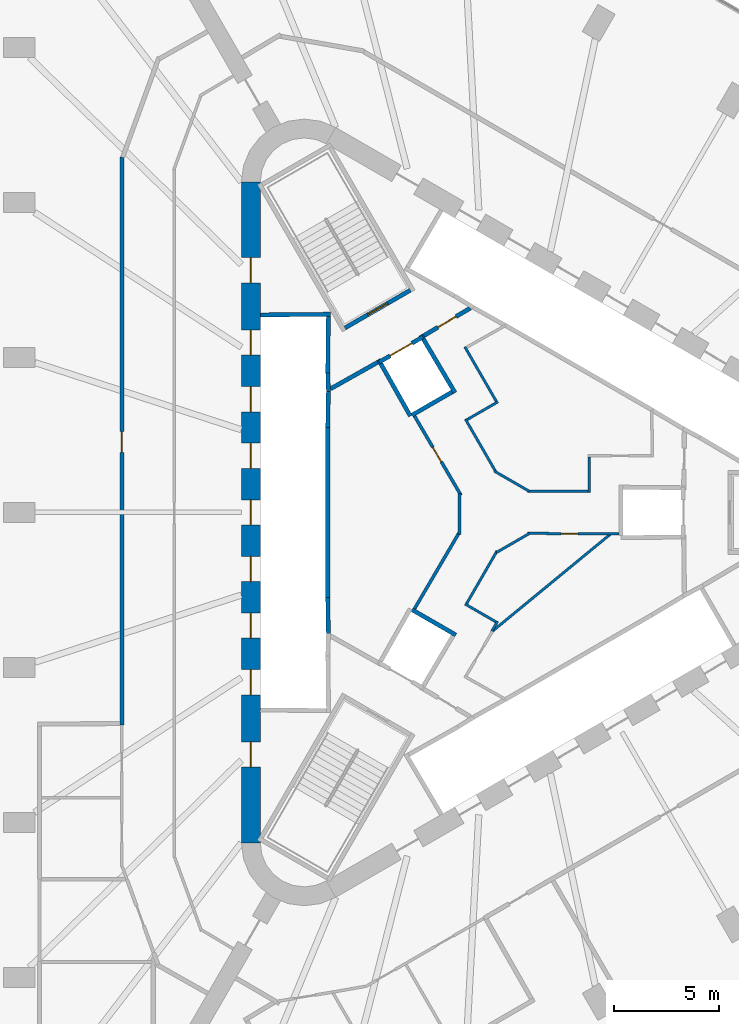
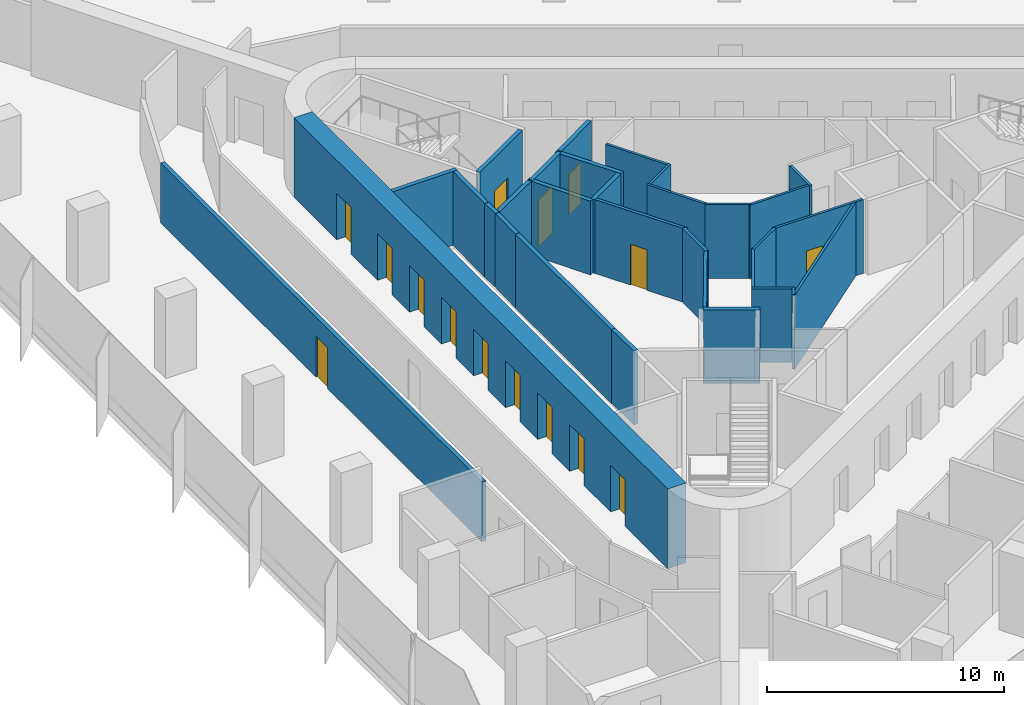
# One storey, part 11 of 15: 31 walls, 15 doors, 15 openings.
"""IFC4 building model written with IfcOpenShell, lengths in metres."""

import ifcopenshell
import ifcopenshell.guid

model = None  # the IFC model being written
_history = None  # IfcOwnerHistory: only IFC2X3 demands one
_inside = {}  # id of a spatial element -> (the spatial element, [elements in it])
_under = {}  # id of a project, library or spatial element -> (it, [spatial elements below it])
_declared = {}  # id of a project -> (the project, [libraries it declares])
_typed = {}  # id of a type object -> (the type object, [elements of that type])
_made_of = {}  # id of a material, layer set ... -> (it, [elements and type objects made of it])


def new_model(schema):
    """Start an empty IFC model of exactly this schema.

    Asked for "IFC4X3", IfcOpenShell would pick the latest addendum, in which some entities
    have other attributes; the version numbers below select the first issue.
    IFC2X3 requires an IfcOwnerHistory on every rooted entity: one is made here for all.
    """
    global model, _history
    if schema == "IFC4X3":
        model = ifcopenshell.file(schema_version=(4, 3, 0, 0))
    else:
        model = ifcopenshell.file(schema=schema)
    _inside.clear()
    _under.clear()
    _declared.clear()
    _typed.clear()
    _made_of.clear()
    _history = None
    if model.schema == "IFC2X3":
        org = make("IfcOrganization", Name="unknown")
        user = make(
            "IfcPersonAndOrganization",
            ThePerson=make("IfcPerson", FamilyName="unknown"),
            TheOrganization=org,
        )
        app = make(
            "IfcApplication",
            ApplicationDeveloper=org,
            Version="unknown",
            ApplicationFullName="unknown",
            ApplicationIdentifier="unknown",
        )
        _history = make(
            "IfcOwnerHistory",
            OwningUser=user,
            OwningApplication=app,
            ChangeAction="ADDED",
            CreationDate=0,
        )
    return model


def make(cls, **values):
    """One entity of the class cls with the attributes given. An attribute that is None is left unset."""
    return model.create_entity(
        cls, **{name: value for name, value in values.items() if value is not None}
    )


def rooted(cls, **values):
    """An entity with a GlobalId (a new one), such as an element, a storey or a relation."""
    return make(cls, GlobalId=ifcopenshell.guid.new(), OwnerHistory=_history, **values)


def si_unit(unit_type, name, prefix=None):
    """IfcSIUnit, for example si_unit("LENGTHUNIT", "METRE", prefix="MILLI")."""
    return make("IfcSIUnit", UnitType=unit_type, Prefix=prefix, Name=name)


def assignment(units):
    """IfcUnitAssignment: the units of a project."""
    return None if units is None else make("IfcUnitAssignment", Units=units)


def point(xyz):
    """IfcCartesianPoint."""
    return None if xyz is None else make("IfcCartesianPoint", Coordinates=xyz)


def direction(xyz):
    """IfcDirection."""
    return None if xyz is None else make("IfcDirection", DirectionRatios=xyz)


def frame(location, z_axis=None, x_axis=None):
    """IfcAxis2Placement3D, a coordinate frame: its origin and axes. An axis left out is left unset."""
    return make(
        "IfcAxis2Placement3D",
        Location=point(location),
        Axis=direction(z_axis),
        RefDirection=direction(x_axis),
    )


def frame_2d(location, x_axis=None):
    """IfcAxis2Placement2D, a coordinate frame in the plane: its origin and x axis."""
    return make(
        "IfcAxis2Placement2D", Location=point(location), RefDirection=direction(x_axis)
    )


def origin():
    """The frame at (0, 0, 0) with its axes left unset."""
    return frame((0.0, 0.0, 0.0))


def place(relative_to, where):
    """IfcLocalPlacement: puts the frame where relative to a parent placement (None: the world)."""
    return make(
        "IfcLocalPlacement", PlacementRelTo=relative_to, RelativePlacement=where
    )


def context(
    kind, dimensions, precision=None, world=None, true_north=None, identifier=None
):
    """IfcGeometricRepresentationContext, for example the 3D "Model" context."""
    return make(
        "IfcGeometricRepresentationContext",
        ContextIdentifier=identifier,
        ContextType=kind,
        CoordinateSpaceDimension=dimensions,
        Precision=precision,
        WorldCoordinateSystem=world,
        TrueNorth=true_north,
    )


def subcontext(parent, identifier, kind, view, scale=None):
    """IfcGeometricRepresentationSubContext, for example "Body" below "Model"."""
    return make(
        "IfcGeometricRepresentationSubContext",
        ContextIdentifier=identifier,
        ContextType=kind,
        ParentContext=parent,
        TargetScale=scale,
        TargetView=view,
    )


def project(units=None, contexts=None):
    """IfcProject with its units and contexts."""
    return rooted(
        "IfcProject",
        Name="project",
        RepresentationContexts=contexts,
        UnitsInContext=assignment(units),
    )


def spatial(cls, under=None, at=None, **own):
    """A site, building, storey or space (cls), placed at a placement, below another one or the project."""
    s = rooted(cls, ObjectPlacement=at, **own)
    if under is not None:
        _under.setdefault(under.id(), (under, []))[1].append(s)
    return s


def profile(cls, at=None, kind="AREA", **sizes):
    """A parametric profile (cls). Its sizes go by their IFC names, for example OverallWidth=200.0."""
    return make(cls, ProfileType=kind, Position=at, **sizes)


def rectangle(**sizes):
    """IfcRectangleProfileDef."""
    return profile("IfcRectangleProfileDef", **sizes)


def extrude(swept, where, along, depth):
    """IfcExtrudedAreaSolid: the profile swept, set in the frame where, extruded along a direction by depth."""
    return make(
        "IfcExtrudedAreaSolid",
        SweptArea=swept,
        Position=where,
        ExtrudedDirection=direction(along),
        Depth=depth,
    )


def shape(context_of_items, identifier, shape_type, items):
    """IfcShapeRepresentation: the items that make up one representation, for example the "Body"."""
    return make(
        "IfcShapeRepresentation",
        ContextOfItems=context_of_items,
        RepresentationIdentifier=identifier,
        RepresentationType=shape_type,
        Items=items,
    )


def material(Name=None, Category=None):
    """IfcMaterial."""
    return make("IfcMaterial", Name=Name, Category=Category)


def layer(
    of_material, thickness, ventilated=None, Name=None, Category=None, Priority=None
):
    """IfcMaterialLayer: one layer of a wall or slab, of a material (None: an air gap)."""
    return make(
        "IfcMaterialLayer",
        Material=of_material,
        LayerThickness=thickness,
        IsVentilated=ventilated,
        Name=Name,
        Category=Category,
        Priority=Priority,
    )


def layer_set(layers, Name=None):
    """IfcMaterialLayerSet."""
    return make("IfcMaterialLayerSet", MaterialLayers=layers, LayerSetName=Name)


def made_of(thing, what):
    """Note that an element or type object is made of a material, layer set ...; save() writes the relation."""
    if what is not None:
        _made_of.setdefault(what.id(), (what, []))[1].append(thing)
    return thing


def type_object(cls, material=None, **own):
    """A type object (cls), such as IfcWallType, which elements share."""
    return made_of(rooted(cls, **own), material)


def element(
    cls,
    number,
    at=None,
    inside=None,
    cuts=None,
    type_object=None,
    material=None,
    context=None,
    identifier="Body",
    shape_type=None,
    held_by="IfcProductDefinitionShape",
    body=None,
    shapes=None,
    **own,
):
    """One element of the class cls, such as IfcWall. Its Tag is "e" and its number.

    at: its placement. inside: the storey or other place that contains it. cuts: it is an
    opening in that element (IfcRelVoidsElement). A single representation is given by context,
    identifier, shape_type and body (its items); several are given by shapes. held_by: the class
    of the entity that holds the representations. save() writes the other relations.
    """
    e = rooted(cls, Tag="e%d" % number, ObjectPlacement=at, **own)
    if body is not None:
        shapes = [shape(context, identifier, shape_type, body)]
    if shapes is not None:
        e.Representation = make(held_by, Representations=shapes)
    if inside is not None:
        _inside.setdefault(inside.id(), (inside, []))[1].append(e)
    if cuts is not None:
        rooted(
            "IfcRelVoidsElement", RelatingBuildingElement=cuts, RelatedOpeningElement=e
        )
    if type_object is not None:
        _typed.setdefault(type_object.id(), (type_object, []))[1].append(e)
    return made_of(e, material)


def fill(opening, filler):
    """IfcRelFillsElement: the door or window that sits in an opening."""
    return rooted(
        "IfcRelFillsElement",
        RelatingOpeningElement=opening,
        RelatedBuildingElement=filler,
    )


def aggregate(whole, parts):
    """IfcRelAggregates: a whole, such as a stair, and the parts it consists of."""
    return rooted("IfcRelAggregates", RelatingObject=whole, RelatedObjects=parts)


def save(model, path):
    """Write the relations noted so far, then the file.

    IfcRelAggregates (storeys below a building ...), IfcRelContainedInSpatialStructure (elements
    in a storey), IfcRelDefinesByType, IfcRelAssociatesMaterial and IfcRelDeclares: one each for
    every whole, place, type object, material and project.
    """
    for whole, parts in _under.values():
        aggregate(whole, parts)
    for where, things in _inside.values():
        rooted(
            "IfcRelContainedInSpatialStructure",
            RelatedElements=things,
            RelatingStructure=where,
        )
    for kind, things in _typed.values():
        rooted("IfcRelDefinesByType", RelatedObjects=things, RelatingType=kind)
    for what, things in _made_of.values():
        rooted("IfcRelAssociatesMaterial", RelatedObjects=things, RelatingMaterial=what)
    for by, libraries in _declared.values():
        rooted("IfcRelDeclares", RelatingContext=by, RelatedDefinitions=libraries)
    model.write(path)


model = new_model("IFC4")

# Units and contexts
model_context = context("Model", 3, precision=1e-05, world=origin(), true_north=direction((0.0, 1.0)))
body_context = subcontext(model_context, "Body", "Model", "MODEL_VIEW")
ifc_project = project(units=[si_unit("LENGTHUNIT", "METRE"), si_unit("AREAUNIT", "SQUARE_METRE"), si_unit("VOLUMEUNIT", "CUBIC_METRE"), si_unit("PLANEANGLEUNIT", "RADIAN"), si_unit("MASSUNIT", "GRAM", prefix="KILO")], contexts=[model_context])

# Site, building, storey
site_placement = place(None, origin())
site = spatial("IfcSite", under=ifc_project, at=site_placement, CompositionType="ELEMENT")
building_placement = place(site_placement, origin())
building = spatial("IfcBuilding", under=site, at=building_placement, Name="Tanit Gate Tower", CompositionType="ELEMENT")
storey_placement = place(building_placement, frame((0.0, 0.0, 135.699951171875)))
storey = spatial("IfcBuildingStorey", under=building, at=storey_placement, Name="L29", CompositionType="ELEMENT", Elevation=135.699951171875)

# Wall, openings, doors
ifc_material_1 = material(Name="Concrete C60/75", Category="concrete")
ifc_layer_1 = layer(ifc_material_1, 0.89990234375)
ifc_layer_set_1 = layer_set([ifc_layer_1], Name="CORE WALL 900 C60/75")
wall_type_1 = type_object("IfcWallType", Name="CORE WALL 900 C60/75", PredefinedType="SHEAR", material=ifc_layer_set_1)
wall_1_placement = place(storey_placement, frame((-11.64990234375, 15.76171875, 0.0), z_axis=(0.0, 0.0, 1.0), x_axis=(0.0, -1.0, 0.0)))
wall_1 = element("IfcWall", 1, at=wall_1_placement, inside=storey, type_object=wall_type_1, Name="CORE WALL", PredefinedType="SHEAR", context=body_context, shape_type="SweptSolid", body=[
    extrude(rectangle(XDim=31.5234375, YDim=0.89990234375, at=frame_2d((15.76171875, 0.0))), origin(), (0.0, 0.0, 1.0), 4.10009765625),
])
opening_1_placement = place(wall_1_placement, frame((7.061767578125, 0.0, 0.0)))
opening_1 = element("IfcOpeningElement", 2, at=opening_1_placement, cuts=wall_1, Name="Opening LDLL1-S07", PredefinedType="OPENING", context=body_context, shape_type="SweptSolid", body=[
    extrude(rectangle(XDim=1.199951171875, YDim=2.39990234375, at=frame_2d((0.60009765625, 1.199951171875))), frame((0.0, 0.4599609375, 0.0), z_axis=(0.0, -1.0, 0.0), x_axis=(1.0, 0.0, 0.0)), (0.0, 0.0, 1.0), 0.919921875),
])
opening_2_placement = place(wall_1_placement, frame((9.76171875, 0.0, 0.0)))
opening_2 = element("IfcOpeningElement", 3, at=opening_2_placement, cuts=wall_1, Name="Opening LDLL2-S07", PredefinedType="OPENING", context=body_context, shape_type="SweptSolid", body=[
    extrude(rectangle(XDim=1.199951171875, YDim=2.39990234375, at=frame_2d((0.60009765625, 1.199951171875))), frame((0.0, 0.4599609375, 0.0), z_axis=(0.0, -1.0, 0.0), x_axis=(1.0, 0.0, 0.0)), (0.0, 0.0, 1.0), 0.919921875),
])
opening_3_placement = place(wall_1_placement, frame((12.461669921875, 0.0, 0.0)))
opening_3 = element("IfcOpeningElement", 4, at=opening_3_placement, cuts=wall_1, Name="Opening LDLL3-S07", PredefinedType="OPENING", context=body_context, shape_type="SweptSolid", body=[
    extrude(rectangle(XDim=1.199951171875, YDim=2.39990234375, at=frame_2d((0.60009765625, 1.199951171875))), frame((0.0, 0.4599609375, 0.0), z_axis=(0.0, -1.0, 0.0), x_axis=(1.0, 0.0, 0.0)), (0.0, 0.0, 1.0), 0.919921875),
])
opening_4_placement = place(wall_1_placement, frame((15.16162109375, 0.0, 0.0)))
opening_4 = element("IfcOpeningElement", 5, at=opening_4_placement, cuts=wall_1, Name="Opening LDLL4-S07", PredefinedType="OPENING", context=body_context, shape_type="SweptSolid", body=[
    extrude(rectangle(XDim=1.199951171875, YDim=2.39990234375, at=frame_2d((0.60009765625, 1.199951171875))), frame((0.0, 0.4599609375, 0.0), z_axis=(0.0, -1.0, 0.0), x_axis=(1.0, 0.0, 0.0)), (0.0, 0.0, 1.0), 0.919921875),
])
opening_5_placement = place(wall_1_placement, frame((17.86181640625, 0.0, 0.0)))
opening_5 = element("IfcOpeningElement", 6, at=opening_5_placement, cuts=wall_1, Name="Opening LDLL5-S07", PredefinedType="OPENING", context=body_context, shape_type="SweptSolid", body=[
    extrude(rectangle(XDim=1.199951171875, YDim=2.39990234375, at=frame_2d((0.60009765625, 1.199951171875))), frame((0.0, 0.4599609375, 0.0), z_axis=(0.0, -1.0, 0.0), x_axis=(1.0, 0.0, 0.0)), (0.0, 0.0, 1.0), 0.919921875),
])
opening_6_placement = place(wall_1_placement, frame((20.561767578125, 0.0, 0.0)))
opening_6 = element("IfcOpeningElement", 7, at=opening_6_placement, cuts=wall_1, Name="Opening LDLL6-S07", PredefinedType="OPENING", context=body_context, shape_type="SweptSolid", body=[
    extrude(rectangle(XDim=1.199951171875, YDim=2.39990234375, at=frame_2d((0.60009765625, 1.199951171875))), frame((0.0, 0.4599609375, 0.0), z_axis=(0.0, -1.0, 0.0), x_axis=(1.0, 0.0, 0.0)), (0.0, 0.0, 1.0), 0.919921875),
])
opening_7_placement = place(wall_1_placement, frame((23.26171875, 0.0, 0.0)))
opening_7 = element("IfcOpeningElement", 8, at=opening_7_placement, cuts=wall_1, Name="Opening LDLL7-S07", PredefinedType="OPENING", context=body_context, shape_type="SweptSolid", body=[
    extrude(rectangle(XDim=1.199951171875, YDim=2.39990234375, at=frame_2d((0.60009765625, 1.199951171875))), frame((0.0, 0.4599609375, 0.0), z_axis=(0.0, -1.0, 0.0), x_axis=(1.0, 0.0, 0.0)), (0.0, 0.0, 1.0), 0.919921875),
])
opening_8_placement = place(wall_1_placement, frame((3.61181640625, 0.0, 0.0)))
opening_8 = element("IfcOpeningElement", 9, at=opening_8_placement, cuts=wall_1, Name="Opening F12-S07-FL2", PredefinedType="OPENING", context=body_context, shape_type="SweptSolid", body=[
    extrude(rectangle(XDim=1.199951171875, YDim=2.39990234375, at=frame_2d((0.60009765625, 1.199951171875))), frame((0.0, 0.4599609375, 0.0), z_axis=(0.0, -1.0, 0.0), x_axis=(1.0, 0.0, 0.0)), (0.0, 0.0, 1.0), 0.919921875),
])
opening_9_placement = place(wall_1_placement, frame((26.711669921875, 0.0, 0.0)))
opening_9 = element("IfcOpeningElement", 10, at=opening_9_placement, cuts=wall_1, Name="Opening F12-S07-S3", PredefinedType="OPENING", context=body_context, shape_type="SweptSolid", body=[
    extrude(rectangle(XDim=1.199951171875, YDim=2.39990234375, at=frame_2d((0.60009765625, 1.199951171875))), frame((0.0, 0.4599609375, 0.0), z_axis=(0.0, -1.0, 0.0), x_axis=(1.0, 0.0, 0.0)), (0.0, 0.0, 1.0), 0.919921875),
])
ifc_material_2 = material(Name="Fire-rated steel door leaf", Category="steel")
door_type_1 = type_object("IfcDoorType", Name="INT-DOOR-FIRE-LOBBY-1200", OperationType="NOTDEFINED", PredefinedType="USERDEFINED", material=ifc_material_2)
door_1_placement = place(opening_8_placement, origin())
door_1 = element("IfcDoor", 11, at=door_1_placement, inside=storey, type_object=door_type_1, Name="Door F12-S07-FL2", ObjectType="FIRE DOOR", OperationType="SINGLE_SWING_RIGHT", OverallHeight=2.39990234375, OverallWidth=1.199951171875, PredefinedType="USERDEFINED", context=body_context, shape_type="SweptSolid", body=[
    extrude(rectangle(XDim=1.199951171875, YDim=2.39990234375, at=frame_2d((0.60009765625, 1.199951171875))), frame((0.0, 0.02490234375, 0.0), z_axis=(0.0, -1.0, 0.0), x_axis=(1.0, 0.0, 0.0)), (0.0, 0.0, 1.0), 0.050048828125),
])
fill(opening_8, door_1)
door_2_placement = place(opening_9_placement, origin())
door_2 = element("IfcDoor", 12, at=door_2_placement, inside=storey, type_object=door_type_1, Name="Door F12-S07-S3", ObjectType="FIRE DOOR", OperationType="SINGLE_SWING_LEFT", OverallHeight=2.39990234375, OverallWidth=1.199951171875, PredefinedType="USERDEFINED", context=body_context, shape_type="SweptSolid", body=[
    extrude(rectangle(XDim=1.199951171875, YDim=2.39990234375, at=frame_2d((0.60009765625, 1.199951171875))), frame((0.0, 0.02490234375, 0.0), z_axis=(0.0, -1.0, 0.0), x_axis=(1.0, 0.0, 0.0)), (0.0, 0.0, 1.0), 0.050048828125),
])
fill(opening_9, door_2)
ifc_material_3 = material(Name="Stainless steel sliding door leaf", Category="steel")
door_type_2 = type_object("IfcDoorType", Name="INT-DOOR-LANDING-1200", OperationType="NOTDEFINED", PredefinedType="USERDEFINED", material=ifc_material_3)
door_3_placement = place(opening_1_placement, origin())
door_3 = element("IfcDoor", 13, at=door_3_placement, inside=storey, type_object=door_type_2, Name="Door LDLL1-S07", ObjectType="LANDING DOOR", OperationType="SLIDING_TO_LEFT", OverallHeight=2.39990234375, OverallWidth=1.199951171875, PredefinedType="USERDEFINED", context=body_context, shape_type="SweptSolid", body=[
    extrude(rectangle(XDim=1.199951171875, YDim=2.39990234375, at=frame_2d((0.60009765625, 1.199951171875))), frame((0.0, 0.02490234375, 0.0), z_axis=(0.0, -1.0, 0.0), x_axis=(1.0, 0.0, 0.0)), (0.0, 0.0, 1.0), 0.050048828125),
])
fill(opening_1, door_3)
door_4_placement = place(opening_2_placement, origin())
door_4 = element("IfcDoor", 14, at=door_4_placement, inside=storey, type_object=door_type_2, Name="Door LDLL2-S07", ObjectType="LANDING DOOR", OperationType="SLIDING_TO_LEFT", OverallHeight=2.39990234375, OverallWidth=1.199951171875, PredefinedType="USERDEFINED", context=body_context, shape_type="SweptSolid", body=[
    extrude(rectangle(XDim=1.199951171875, YDim=2.39990234375, at=frame_2d((0.60009765625, 1.199951171875))), frame((0.0, 0.02490234375, 0.0), z_axis=(0.0, -1.0, 0.0), x_axis=(1.0, 0.0, 0.0)), (0.0, 0.0, 1.0), 0.050048828125),
])
fill(opening_2, door_4)
door_5_placement = place(opening_3_placement, origin())
door_5 = element("IfcDoor", 15, at=door_5_placement, inside=storey, type_object=door_type_2, Name="Door LDLL3-S07", ObjectType="LANDING DOOR", OperationType="SLIDING_TO_LEFT", OverallHeight=2.39990234375, OverallWidth=1.199951171875, PredefinedType="USERDEFINED", context=body_context, shape_type="SweptSolid", body=[
    extrude(rectangle(XDim=1.199951171875, YDim=2.39990234375, at=frame_2d((0.60009765625, 1.199951171875))), frame((0.0, 0.02490234375, 0.0), z_axis=(0.0, -1.0, 0.0), x_axis=(1.0, 0.0, 0.0)), (0.0, 0.0, 1.0), 0.050048828125),
])
fill(opening_3, door_5)
door_6_placement = place(opening_4_placement, origin())
door_6 = element("IfcDoor", 16, at=door_6_placement, inside=storey, type_object=door_type_2, Name="Door LDLL4-S07", ObjectType="LANDING DOOR", OperationType="SLIDING_TO_LEFT", OverallHeight=2.39990234375, OverallWidth=1.199951171875, PredefinedType="USERDEFINED", context=body_context, shape_type="SweptSolid", body=[
    extrude(rectangle(XDim=1.199951171875, YDim=2.39990234375, at=frame_2d((0.60009765625, 1.199951171875))), frame((0.0, 0.02490234375, 0.0), z_axis=(0.0, -1.0, 0.0), x_axis=(1.0, 0.0, 0.0)), (0.0, 0.0, 1.0), 0.050048828125),
])
fill(opening_4, door_6)
door_7_placement = place(opening_5_placement, origin())
door_7 = element("IfcDoor", 17, at=door_7_placement, inside=storey, type_object=door_type_2, Name="Door LDLL5-S07", ObjectType="LANDING DOOR", OperationType="SLIDING_TO_LEFT", OverallHeight=2.39990234375, OverallWidth=1.199951171875, PredefinedType="USERDEFINED", context=body_context, shape_type="SweptSolid", body=[
    extrude(rectangle(XDim=1.199951171875, YDim=2.39990234375, at=frame_2d((0.60009765625, 1.199951171875))), frame((0.0, 0.02490234375, 0.0), z_axis=(0.0, -1.0, 0.0), x_axis=(1.0, 0.0, 0.0)), (0.0, 0.0, 1.0), 0.050048828125),
])
fill(opening_5, door_7)
door_8_placement = place(opening_6_placement, origin())
door_8 = element("IfcDoor", 18, at=door_8_placement, inside=storey, type_object=door_type_2, Name="Door LDLL6-S07", ObjectType="LANDING DOOR", OperationType="SLIDING_TO_LEFT", OverallHeight=2.39990234375, OverallWidth=1.199951171875, PredefinedType="USERDEFINED", context=body_context, shape_type="SweptSolid", body=[
    extrude(rectangle(XDim=1.199951171875, YDim=2.39990234375, at=frame_2d((0.60009765625, 1.199951171875))), frame((0.0, 0.02490234375, 0.0), z_axis=(0.0, -1.0, 0.0), x_axis=(1.0, 0.0, 0.0)), (0.0, 0.0, 1.0), 0.050048828125),
])
fill(opening_6, door_8)
door_9_placement = place(opening_7_placement, origin())
door_9 = element("IfcDoor", 19, at=door_9_placement, inside=storey, type_object=door_type_2, Name="Door LDLL7-S07", ObjectType="LANDING DOOR", OperationType="SLIDING_TO_LEFT", OverallHeight=2.39990234375, OverallWidth=1.199951171875, PredefinedType="USERDEFINED", context=body_context, shape_type="SweptSolid", body=[
    extrude(rectangle(XDim=1.199951171875, YDim=2.39990234375, at=frame_2d((0.60009765625, 1.199951171875))), frame((0.0, 0.02490234375, 0.0), z_axis=(0.0, -1.0, 0.0), x_axis=(1.0, 0.0, 0.0)), (0.0, 0.0, 1.0), 0.050048828125),
])
fill(opening_7, door_9)

# Wall
ifc_material_4 = material(Name="Fire-rated gypsum board partition")
ifc_layer_2 = layer(ifc_material_4, 0.199951171875)
ifc_layer_set_2 = layer_set([ifc_layer_2], Name="INT-WALL-COMPARTMENT")
wall_type_2 = type_object("IfcWallType", Name="INT-WALL-COMPARTMENT", PredefinedType="PARTITIONING", material=ifc_layer_set_2)
wall_2_placement = place(storey_placement, frame((-5.600341796875, 7.16015625, 0.0), z_axis=(0.0, 0.0, 1.0), x_axis=(-0.871340486379, -0.490678873396, 0.0)))
element("IfcWall", 20, at=wall_2_placement, inside=storey, type_object=wall_type_2, Name="Wall Compartment W061", PredefinedType="PARTITIONING", context=body_context, shape_type="SweptSolid", body=[
    extrude(rectangle(XDim=2.580810546875, YDim=0.199951171875, at=frame_2d((1.29052734375, 0.0))), origin(), (0.0, 0.0, 1.0), 3.800048828125),
])

# Wall, opening, door
wall_3_placement = place(storey_placement, frame((-1.179443359375, 9.74462890625, 0.0), z_axis=(0.0, 0.0, 1.0), x_axis=(-0.860598681535, -0.509283721849, 0.0)))
wall_3 = element("IfcWall", 21, at=wall_3_placement, inside=storey, type_object=wall_type_2, Name="Wall Compartment W062", PredefinedType="PARTITIONING", context=body_context, shape_type="SweptSolid", body=[
    extrude(rectangle(XDim=2.5810546875, YDim=0.199951171875, at=frame_2d((1.29052734375, 0.0))), origin(), (0.0, 0.0, 1.0), 3.800048828125),
])
opening_10_placement = place(wall_3_placement, frame((0.79052734375, 0.0, 0.0)))
opening_10 = element("IfcOpeningElement", 22, at=opening_10_placement, cuts=wall_3, Name="Opening F10-S07-05", PredefinedType="OPENING", context=body_context, shape_type="SweptSolid", body=[
    extrude(rectangle(XDim=1.0, YDim=2.10009765625, at=frame_2d((0.5, 1.050048828125))), frame((0.0, 0.10986328125, 0.0), z_axis=(0.0, -1.0, 0.0), x_axis=(1.0, 0.0, 0.0)), (0.0, 0.0, 1.0), 0.219970703125),
])
ifc_material_5 = material(Name="Fire-rated steel door leaf", Category="steel")
door_type_3 = type_object("IfcDoorType", Name="INT-DOOR-FIRE-1000", OperationType="NOTDEFINED", PredefinedType="USERDEFINED", material=ifc_material_5)
door_10_placement = place(opening_10_placement, origin())
door_10 = element("IfcDoor", 23, at=door_10_placement, inside=storey, type_object=door_type_3, Name="Door F10-S07-05", ObjectType="FIRE DOOR", OperationType="SINGLE_SWING_LEFT", OverallHeight=2.10009765625, OverallWidth=1.0, PredefinedType="USERDEFINED", context=body_context, shape_type="SweptSolid", body=[
    extrude(rectangle(XDim=1.0, YDim=2.10009765625, at=frame_2d((0.5, 1.050048828125))), frame((0.0, 0.02490234375, 0.0), z_axis=(0.0, -1.0, 0.0), x_axis=(1.0, 0.0, 0.0)), (0.0, 0.0, 1.0), 0.050048828125),
])
fill(opening_10, door_10)

wall_4_placement = place(storey_placement, frame((-17.800048828125, 16.946044921875, 0.0), z_axis=(0.0, 0.0, 1.0), x_axis=(0.0, -1.0, 0.0)))
wall_4 = element("IfcWall", 24, at=wall_4_placement, inside=storey, type_object=wall_type_2, Name="Wall Compartment W091", PredefinedType="PARTITIONING", context=body_context, shape_type="SweptSolid", body=[
    extrude(rectangle(XDim=27.075927734375, YDim=0.199951171875, at=frame_2d((13.5380859375, 0.0))), origin(), (0.0, 0.0, 1.0), 3.080078125),
])
opening_11_placement = place(wall_4_placement, frame((13.087890625, 0.0, 0.0)))
opening_11 = element("IfcOpeningElement", 25, at=opening_11_placement, cuts=wall_4, Name="Opening F10-S07-23", PredefinedType="OPENING", context=body_context, shape_type="SweptSolid", body=[
    extrude(rectangle(XDim=1.0, YDim=2.10009765625, at=frame_2d((0.5, 1.050048828125))), frame((0.0, 0.10986328125, 0.0), z_axis=(0.0, -1.0, 0.0), x_axis=(1.0, 0.0, 0.0)), (0.0, 0.0, 1.0), 0.219970703125),
])
door_11_placement = place(opening_11_placement, origin())
door_11 = element("IfcDoor", 26, at=door_11_placement, inside=storey, type_object=door_type_3, Name="Door F10-S07-23", ObjectType="FIRE DOOR", OperationType="SINGLE_SWING_LEFT", OverallHeight=2.10009765625, OverallWidth=1.0, PredefinedType="USERDEFINED", context=body_context, shape_type="SweptSolid", body=[
    extrude(rectangle(XDim=1.0, YDim=2.10009765625, at=frame_2d((0.5, 1.050048828125))), frame((0.0, 0.02490234375, 0.0), z_axis=(0.0, -1.0, 0.0), x_axis=(1.0, 0.0, 0.0)), (0.0, 0.0, 1.0), 0.050048828125),
])
fill(opening_11, door_11)

# Wall
ifc_material_6 = material(Name="Gypsum board partition")
ifc_layer_3 = layer(ifc_material_6, 0.1201171875)
ifc_layer_set_3 = layer_set([ifc_layer_3], Name="INT-WALL-PARTITION")
wall_type_3 = type_object("IfcWallType", Name="INT-WALL-PARTITION", PredefinedType="PARTITIONING", material=ifc_layer_set_3)
wall_5_placement = place(storey_placement, frame((5.5478515625, -1.0, 0.0), z_axis=(0.0, 0.0, 1.0), x_axis=(-0.772345431507, -0.635202750648, 0.0)))
element("IfcWall", 27, at=wall_5_placement, inside=storey, type_object=wall_type_3, Name="Wall Partition W068", PredefinedType="PARTITIONING", context=body_context, shape_type="SweptSolid", body=[
    extrude(rectangle(XDim=7.41455078125, YDim=0.1201171875, at=frame_2d((3.707275390625, 0.0))), origin(), (0.0, 0.0, 1.0), 3.800048828125),
])

# Wall, opening, door
wall_6_placement = place(storey_placement, frame((5.89990234375, -1.02880859375, 0.0), z_axis=(0.0, 0.0, 1.0), x_axis=(-0.999977012451, 0.006780454946, 0.0)))
wall_6 = element("IfcWall", 28, at=wall_6_placement, inside=storey, type_object=wall_type_3, Name="Wall Partition W071", PredefinedType="PARTITIONING", context=body_context, shape_type="SweptSolid", body=[
    extrude(rectangle(XDim=4.356689453125, YDim=0.1201171875, at=frame_2d((2.17822265625, 0.0))), origin(), (0.0, 0.0, 1.0), 3.800048828125),
])
opening_12_placement = place(wall_6_placement, frame((1.9541015625, 0.0, 0.0)))
opening_12 = element("IfcOpeningElement", 29, at=opening_12_placement, cuts=wall_6, Name="Opening R08-S07-12", PredefinedType="OPENING", context=body_context, shape_type="SweptSolid", body=[
    extrude(rectangle(XDim=0.800048828125, YDim=2.10009765625, at=frame_2d((0.39990234375, 1.050048828125))), frame((0.0, 0.070068359375, 0.0), z_axis=(0.0, -1.0, 0.0), x_axis=(1.0, 0.0, 0.0)), (0.0, 0.0, 1.0), 0.14013671875),
])
ifc_material_7 = material(Name="Timber door leaf", Category="wood")
door_type_4 = type_object("IfcDoorType", Name="INT-DOOR-RISER-800", OperationType="NOTDEFINED", PredefinedType="USERDEFINED", material=ifc_material_7)
door_12_placement = place(opening_12_placement, origin())
door_12 = element("IfcDoor", 30, at=door_12_placement, inside=storey, type_object=door_type_4, Name="Door R08-S07-12", ObjectType="FIRE DOOR", OperationType="SINGLE_SWING_RIGHT", OverallHeight=2.10009765625, OverallWidth=0.800048828125, PredefinedType="USERDEFINED", context=body_context, shape_type="SweptSolid", body=[
    extrude(rectangle(XDim=0.800048828125, YDim=2.10009765625, at=frame_2d((0.39990234375, 1.050048828125))), frame((0.0, 0.02490234375, 0.0), z_axis=(0.0, -1.0, 0.0), x_axis=(1.0, 0.0, 0.0)), (0.0, 0.0, 1.0), 0.050048828125),
])
fill(opening_12, door_12)

# Walls
wall_7_placement = place(storey_placement, frame((-0.14404296875, -5.6494140625, 0.0), z_axis=(0.0, 0.0, 1.0), x_axis=(0.499843319224, 0.866115844577, 0.0)))
element("IfcWall", 31, at=wall_7_placement, inside=storey, type_object=wall_type_3, Name="Wall Partition W072", PredefinedType="PARTITIONING", context=body_context, shape_type="SweptSolid", body=[
    extrude(rectangle(XDim=0.524658203125, YDim=0.1201171875, at=frame_2d((0.26220703125, 0.0))), origin(), (0.0, 0.0, 1.0), 3.800048828125),
])
wall_8_placement = place(storey_placement, frame((-1.43603515625, -4.3671875, 0.0), z_axis=(0.0, 0.0, 1.0), x_axis=(0.866087547558, -0.499892348375, 0.0)))
element("IfcWall", 32, at=wall_8_placement, inside=storey, type_object=wall_type_3, Name="Wall Partition W073", PredefinedType="PARTITIONING", context=body_context, shape_type="SweptSolid", body=[
    extrude(rectangle(XDim=1.699951171875, YDim=0.1201171875, at=frame_2d((0.85009765625, 0.0))), origin(), (0.0, 0.0, 1.0), 3.800048828125),
])
wall_9_placement = place(storey_placement, frame((0.09521484375, -1.8349609375, 0.0), z_axis=(0.0, 0.0, 1.0), x_axis=(-0.499980071345, -0.866036909293, 0.0)))
element("IfcWall", 33, at=wall_9_placement, inside=storey, type_object=wall_type_3, Name="Wall Partition W074", PredefinedType="PARTITIONING", context=body_context, shape_type="SweptSolid", body=[
    extrude(rectangle(XDim=2.8984375, YDim=0.1201171875, at=frame_2d((1.44921875, 0.0))), origin(), (0.0, 0.0, 1.0), 3.800048828125),
])
wall_10_placement = place(storey_placement, frame((1.629150390625, -1.009521484375, 0.0), z_axis=(0.0, 0.0, 1.0), x_axis=(-0.866046528967, -0.499963408325, 0.0)))
element("IfcWall", 34, at=wall_10_placement, inside=storey, type_object=wall_type_3, Name="Wall Partition W075", PredefinedType="PARTITIONING", context=body_context, shape_type="SweptSolid", body=[
    extrude(rectangle(XDim=1.812744140625, YDim=0.1201171875, at=frame_2d((0.90625, 0.0))), origin(), (0.0, 0.0, 1.0), 3.800048828125),
])
wall_11_placement = place(storey_placement, frame((4.5, 0.93994140625, 0.0), z_axis=(0.0, 0.0, 1.0), x_axis=(0.0, 1.0, 0.0)))
element("IfcWall", 35, at=wall_11_placement, inside=storey, type_object=wall_type_3, Name="Wall Partition W079", PredefinedType="PARTITIONING", context=body_context, shape_type="SweptSolid", body=[
    extrude(rectangle(XDim=1.699951171875, YDim=0.1201171875, at=frame_2d((0.85009765625, 0.0))), origin(), (0.0, 0.0, 1.0), 3.800048828125),
])
wall_12_placement = place(storey_placement, frame((1.54150390625, 1.0, 0.0), z_axis=(0.0, 0.0, 1.0), x_axis=(1.0, 0.0, 0.0)))
element("IfcWall", 36, at=wall_12_placement, inside=storey, type_object=wall_type_3, Name="Wall Partition W080", PredefinedType="PARTITIONING", context=body_context, shape_type="SweptSolid", body=[
    extrude(rectangle(XDim=2.8984375, YDim=0.1201171875, at=frame_2d((1.44921875, 0.0))), origin(), (0.0, 0.0, 1.0), 3.800048828125),
])
wall_13_placement = place(storey_placement, frame((-0.046630859375, 1.97705078125, 0.0), z_axis=(0.0, 0.0, 1.0), x_axis=(0.865998615205, -0.500046396311, 0.0)))
element("IfcWall", 37, at=wall_13_placement, inside=storey, type_object=wall_type_3, Name="Wall Partition W081", PredefinedType="PARTITIONING", context=body_context, shape_type="SweptSolid", body=[
    extrude(rectangle(XDim=1.935302734375, YDim=0.1201171875, at=frame_2d((0.9677734375, 0.0))), origin(), (0.0, 0.0, 1.0), 3.800048828125),
])
wall_14_placement = place(storey_placement, frame((-1.4140625, 4.448974609375, 0.0), z_axis=(0.0, 0.0, 1.0), x_axis=(0.500028961621, -0.866008682139, 0.0)))
element("IfcWall", 38, at=wall_14_placement, inside=storey, type_object=wall_type_3, Name="Wall Partition W082", PredefinedType="PARTITIONING", context=body_context, shape_type="SweptSolid", body=[
    extrude(rectangle(XDim=2.895751953125, YDim=0.1201171875, at=frame_2d((1.44775390625, 0.0))), origin(), (0.0, 0.0, 1.0), 3.800048828125),
])
wall_15_placement = place(storey_placement, frame((0.14013671875, 5.277099609375, 0.0), z_axis=(0.0, 0.0, 1.0), x_axis=(-0.865989465428, -0.500062241894, 0.0)))
element("IfcWall", 39, at=wall_15_placement, inside=storey, type_object=wall_type_3, Name="Wall Partition W083", PredefinedType="PARTITIONING", context=body_context, shape_type="SweptSolid", body=[
    extrude(rectangle(XDim=1.699951171875, YDim=0.1201171875, at=frame_2d((0.85009765625, 0.0))), origin(), (0.0, 0.0, 1.0), 3.800048828125),
])
wall_16_placement = place(storey_placement, frame((-1.441650390625, 7.897216796875, 0.0), z_axis=(0.0, 0.0, 1.0), x_axis=(0.499990139034, -0.866031096941, 0.0)))
element("IfcWall", 40, at=wall_16_placement, inside=storey, type_object=wall_type_3, Name="Wall Partition W084", PredefinedType="PARTITIONING", context=body_context, shape_type="SweptSolid", body=[
    extrude(rectangle(XDim=3.0, YDim=0.1201171875, at=frame_2d((1.5, 0.0))), origin(), (0.0, 0.0, 1.0), 3.800048828125),
])

# Wall, opening, door
ifc_material_8 = material(Name="Fire-rated gypsum board partition")
ifc_layer_4 = layer(ifc_material_8, 0.14990234375)
ifc_layer_set_4 = layer_set([ifc_layer_4], Name="INT-WALL-RISER")
wall_type_4 = type_object("IfcWallType", Name="INT-WALL-RISER", PredefinedType="PLUMBINGWALL", material=ifc_layer_set_4)
wall_17_placement = place(storey_placement, frame((-1.6240234375, 0.814697265625, 0.0), z_axis=(0.0, 0.0, 1.0), x_axis=(-0.505868173579, 0.862610799237, 0.0)))
wall_17 = element("IfcWall", 41, at=wall_17_placement, inside=storey, type_object=wall_type_4, Name="Wall Riser W065", PredefinedType="PLUMBINGWALL", context=body_context, shape_type="SweptSolid", body=[
    extrude(rectangle(XDim=4.382568359375, YDim=0.14990234375, at=frame_2d((2.19140625, 0.0))), origin(), (0.0, 0.0, 1.0), 3.800048828125),
])
opening_13_placement = place(wall_17_placement, frame((1.855224609375, 0.0, 0.0)))
opening_13 = element("IfcOpeningElement", 42, at=opening_13_placement, cuts=wall_17, Name="Opening R08-S07-10", PredefinedType="OPENING", context=body_context, shape_type="SweptSolid", body=[
    extrude(rectangle(XDim=0.800048828125, YDim=2.10009765625, at=frame_2d((0.39990234375, 1.050048828125))), frame((0.0, 0.0849609375, 0.0), z_axis=(0.0, -1.0, 0.0), x_axis=(1.0, 0.0, 0.0)), (0.0, 0.0, 1.0), 0.169921875),
])
door_13_placement = place(opening_13_placement, origin())
door_13 = element("IfcDoor", 43, at=door_13_placement, inside=storey, type_object=door_type_4, Name="Door R08-S07-10", ObjectType="FIRE DOOR", OperationType="SINGLE_SWING_RIGHT", OverallHeight=2.10009765625, OverallWidth=0.800048828125, PredefinedType="USERDEFINED", context=body_context, shape_type="SweptSolid", body=[
    extrude(rectangle(XDim=0.800048828125, YDim=2.10009765625, at=frame_2d((0.39990234375, 1.050048828125))), frame((0.0, 0.02490234375, 0.0), z_axis=(0.0, -1.0, 0.0), x_axis=(1.0, 0.0, 0.0)), (0.0, 0.0, 1.0), 0.050048828125),
])
fill(opening_13, door_13)

# Walls
wall_18_placement = place(storey_placement, frame((-1.688720703125, -1.052978515625, 0.0), z_axis=(0.0, 0.0, 1.0), x_axis=(0.0, 1.0, 0.0)))
element("IfcWall", 44, at=wall_18_placement, inside=storey, type_object=wall_type_4, Name="Wall Riser W066", PredefinedType="PLUMBINGWALL", context=body_context, shape_type="SweptSolid", body=[
    extrude(rectangle(XDim=1.954345703125, YDim=0.14990234375, at=frame_2d((0.97705078125, 0.0))), origin(), (0.0, 0.0, 1.0), 3.800048828125),
])
wall_19_placement = place(storey_placement, frame((-3.841064453125, -4.59521484375, 0.0), z_axis=(0.0, 0.0, 1.0), x_axis=(0.505857207696, 0.862617229959, 0.0)))
element("IfcWall", 45, at=wall_19_placement, inside=storey, type_object=wall_type_4, Name="Wall Riser W067", PredefinedType="PLUMBINGWALL", context=body_context, shape_type="SweptSolid", body=[
    extrude(rectangle(XDim=4.231201171875, YDim=0.14990234375, at=frame_2d((2.11572265625, 0.0))), origin(), (0.0, 0.0, 1.0), 3.800048828125),
])
ifc_material_9 = material(Name="Gypsum shaft wall system")
ifc_layer_5 = layer(ifc_material_9, 0.199951171875)
ifc_layer_set_5 = layer_set([ifc_layer_5], Name="INT-WALL-SHAFT")
wall_type_5 = type_object("IfcWallType", Name="INT-WALL-SHAFT", PredefinedType="PLUMBINGWALL", material=ifc_layer_set_5)
wall_20_placement = place(storey_placement, frame((-11.199951171875, 9.419921875, 0.0), z_axis=(0.0, 0.0, 1.0), x_axis=(0.999957167047, 0.009255488683, 0.0)))
element("IfcWall", 46, at=wall_20_placement, inside=storey, type_object=wall_type_5, Name="Wall Shaft W001", PredefinedType="PLUMBINGWALL", context=body_context, shape_type="SweptSolid", body=[
    extrude(rectangle(XDim=3.35009765625, YDim=0.199951171875, at=frame_2d((1.675048828125, 0.0))), origin(), (0.0, 0.0, 1.0), 3.800048828125),
])
wall_21_placement = place(storey_placement, frame((-7.951171875, 9.35009765625, 0.0), z_axis=(0.0, 0.0, 1.0), x_axis=(-0.011120469654, -0.999938165666, 0.0)))
element("IfcWall", 47, at=wall_21_placement, inside=storey, type_object=wall_type_5, Name="Wall Shaft W002", PredefinedType="PLUMBINGWALL", context=body_context, shape_type="SweptSolid", body=[
    extrude(rectangle(XDim=2.700439453125, YDim=0.199951171875, at=frame_2d((1.35009765625, 0.0))), origin(), (0.0, 0.0, 1.0), 3.800048828125),
])
wall_22_placement = place(storey_placement, frame((-7.97705078125, 6.650146484375, 0.0), z_axis=(0.0, 0.0, 1.0), x_axis=(0.030861509705, -0.999523670164, 0.0)))
element("IfcWall", 48, at=wall_22_placement, inside=storey, type_object=wall_type_5, Name="Wall Shaft W004", PredefinedType="PLUMBINGWALL", context=body_context, shape_type="SweptSolid", body=[
    extrude(rectangle(XDim=0.878173828125, YDim=0.199951171875, at=frame_2d((0.43896484375, 0.0))), origin(), (0.0, 0.0, 1.0), 3.800048828125),
])
wall_23_placement = place(storey_placement, frame((-7.948974609375, 5.894287109375, 0.0), z_axis=(0.0, 0.0, 1.0), x_axis=(-0.016809909365, -0.999858703491, 0.0)))
element("IfcWall", 49, at=wall_23_placement, inside=storey, type_object=wall_type_5, Name="Wall Shaft W005", PredefinedType="PLUMBINGWALL", context=body_context, shape_type="SweptSolid", body=[
    extrude(rectangle(XDim=1.844482421875, YDim=0.199951171875, at=frame_2d((0.92236328125, 0.0))), origin(), (0.0, 0.0, 1.0), 3.800048828125),
])
wall_24_placement = place(storey_placement, frame((-7.97998046875, 4.050048828125, 0.0), z_axis=(0.0, 0.0, 1.0), x_axis=(0.0, -1.0, 0.0)))
element("IfcWall", 50, at=wall_24_placement, inside=storey, type_object=wall_type_5, Name="Wall Shaft W006", PredefinedType="PLUMBINGWALL", context=body_context, shape_type="SweptSolid", body=[
    extrude(rectangle(XDim=8.10009765625, YDim=0.199951171875, at=frame_2d((4.050048828125, 0.0))), origin(), (0.0, 0.0, 1.0), 3.800048828125),
])
wall_25_placement = place(storey_placement, frame((-7.97998046875, -4.050048828125, 0.0), z_axis=(0.0, 0.0, 1.0), x_axis=(0.016809909365, -0.999858703491, 0.0)))
element("IfcWall", 51, at=wall_25_placement, inside=storey, type_object=wall_type_5, Name="Wall Shaft W010", PredefinedType="PLUMBINGWALL", context=body_context, shape_type="SweptSolid", body=[
    extrude(rectangle(XDim=1.844482421875, YDim=0.199951171875, at=frame_2d((0.92236328125, 0.0))), origin(), (0.0, 0.0, 1.0), 3.800048828125),
])

# Wall, opening, door
wall_26_placement = place(storey_placement, frame((-5.524169921875, 7.168212890625, 0.0), z_axis=(0.0, 0.0, 1.0), x_axis=(0.866024647952, 0.500001309137, 0.0)))
wall_26 = element("IfcWall", 52, at=wall_26_placement, inside=storey, type_object=wall_type_5, Name="Wall Shaft W045", PredefinedType="PLUMBINGWALL", context=body_context, shape_type="SweptSolid", body=[
    extrude(rectangle(XDim=2.39990234375, YDim=0.199951171875, at=frame_2d((1.199951171875, 0.0))), origin(), (0.0, 0.0, 1.0), 3.800048828125),
])
opening_14_placement = place(wall_26_placement, frame((0.60009765625, 0.0, 0.0)))
opening_14 = element("IfcOpeningElement", 53, at=opening_14_placement, cuts=wall_26, Name="Opening LDFL2-L29", PredefinedType="OPENING", context=body_context, shape_type="SweptSolid", body=[
    extrude(rectangle(XDim=1.199951171875, YDim=2.39990234375, at=frame_2d((0.60009765625, 1.199951171875))), frame((0.0, 0.10986328125, 0.0), z_axis=(0.0, -1.0, 0.0), x_axis=(1.0, 0.0, 0.0)), (0.0, 0.0, 1.0), 0.219970703125),
])
door_14_placement = place(opening_14_placement, origin())
door_14 = element("IfcDoor", 54, at=door_14_placement, inside=storey, type_object=door_type_2, Name="Door LDFL2-L29", ObjectType="LANDING DOOR", OperationType="SLIDING_TO_LEFT", OverallHeight=2.39990234375, OverallWidth=1.199951171875, PredefinedType="USERDEFINED", context=body_context, shape_type="SweptSolid", body=[
    extrude(rectangle(XDim=1.199951171875, YDim=2.39990234375, at=frame_2d((0.60009765625, 1.199951171875))), frame((0.0, 0.02490234375, 0.0), z_axis=(0.0, -1.0, 0.0), x_axis=(1.0, 0.0, 0.0)), (0.0, 0.0, 1.0), 0.050048828125),
])
fill(opening_14, door_14)

# Walls
wall_27_placement = place(storey_placement, frame((-4.039306640625, 4.59619140625, 0.0), z_axis=(0.0, 0.0, 1.0), x_axis=(-0.491322718731, 0.870977603649, 0.0)))
element("IfcWall", 55, at=wall_27_placement, inside=storey, type_object=wall_type_5, Name="Wall Shaft W046", PredefinedType="PLUMBINGWALL", context=body_context, shape_type="SweptSolid", body=[
    extrude(rectangle(XDim=3.10009765625, YDim=0.199951171875, at=frame_2d((1.550048828125, 0.0))), origin(), (0.0, 0.0, 1.0), 3.800048828125),
])
wall_28_placement = place(storey_placement, frame((-3.53759765625, 8.46533203125, 0.0), z_axis=(0.0, 0.0, 1.0), x_axis=(0.508616218331, -0.860993346345, 0.0)))
element("IfcWall", 56, at=wall_28_placement, inside=storey, type_object=wall_type_5, Name="Wall Shaft W047", PredefinedType="PLUMBINGWALL", context=body_context, shape_type="SweptSolid", body=[
    extrude(rectangle(XDim=3.2001953125, YDim=0.199951171875, at=frame_2d((1.60009765625, 0.0))), origin(), (0.0, 0.0, 1.0), 3.800048828125),
])
wall_29_placement = place(storey_placement, frame((-2.04736328125, 5.74609375, 0.0), z_axis=(0.0, 0.0, 1.0), x_axis=(-0.866019606374, -0.500010041276, 0.0)))
element("IfcWall", 57, at=wall_29_placement, inside=storey, type_object=wall_type_5, Name="Wall Shaft W048", PredefinedType="PLUMBINGWALL", context=body_context, shape_type="SweptSolid", body=[
    extrude(rectangle(XDim=2.20458984375, YDim=0.199951171875, at=frame_2d((1.102294921875, 0.0))), origin(), (0.0, 0.0, 1.0), 3.800048828125),
])
wall_30_placement = place(storey_placement, frame((-3.95654296875, -4.643798828125, 0.0), z_axis=(0.0, 0.0, 1.0), x_axis=(0.865991127953, -0.500059362782, 0.0)))
element("IfcWall", 58, at=wall_30_placement, inside=storey, type_object=wall_type_5, Name="Wall Shaft W055", PredefinedType="PLUMBINGWALL", context=body_context, shape_type="SweptSolid", body=[
    extrude(rectangle(XDim=2.404541015625, YDim=0.199951171875, at=frame_2d((1.2021484375, 0.0))), origin(), (0.0, 0.0, 1.0), 3.800048828125),
])

# Wall, opening, door
ifc_material_10 = material(Name="Concrete C40/50", Category="concrete")
ifc_layer_6 = layer(ifc_material_10, 0.199951171875)
ifc_layer_set_6 = layer_set([ifc_layer_6], Name="INT-WALL-STAIR")
wall_type_6 = type_object("IfcWallType", Name="INT-WALL-STAIR", PredefinedType="SHEAR", material=ifc_layer_set_6)
wall_31_placement = place(storey_placement, frame((-7.158935546875, 8.799560546875, -0.300048828125), z_axis=(0.0, 0.0, 1.0), x_axis=(0.866047807691, 0.499961193289, 0.0)))
wall_31 = element("IfcWall", 59, at=wall_31_placement, inside=storey, type_object=wall_type_6, Name="Wall Stair W044", PredefinedType="SHEAR", context=body_context, shape_type="SweptSolid", body=[
    extrude(rectangle(XDim=3.599853515625, YDim=0.199951171875, at=frame_2d((1.7998046875, 0.0))), origin(), (0.0, 0.0, 1.0), 4.10009765625),
])
opening_15_placement = place(wall_31_placement, frame((1.25, 0.0, 0.300048828125)))
opening_15 = element("IfcOpeningElement", 60, at=opening_15_placement, cuts=wall_31, Name="Opening S11-S07-04", PredefinedType="OPENING", context=body_context, shape_type="SweptSolid", body=[
    extrude(rectangle(XDim=1.10009765625, YDim=2.10009765625, at=frame_2d((0.550048828125, 1.050048828125))), frame((0.0, 0.10986328125, 0.0), z_axis=(0.0, -1.0, 0.0), x_axis=(1.0, 0.0, 0.0)), (0.0, 0.0, 1.0), 0.219970703125),
])
ifc_material_11 = material(Name="Timber door leaf", Category="wood")
door_type_5 = type_object("IfcDoorType", Name="INT-DOOR-STAIR-1100", OperationType="NOTDEFINED", PredefinedType="USERDEFINED", material=ifc_material_11)
door_15_placement = place(opening_15_placement, origin())
door_15 = element("IfcDoor", 61, at=door_15_placement, inside=storey, type_object=door_type_5, Name="Door S11-S07-04", ObjectType="FIRE DOOR", OperationType="SINGLE_SWING_RIGHT", OverallHeight=2.10009765625, OverallWidth=1.10009765625, PredefinedType="USERDEFINED", context=body_context, shape_type="SweptSolid", body=[
    extrude(rectangle(XDim=1.10009765625, YDim=2.10009765625, at=frame_2d((0.550048828125, 1.050048828125))), frame((0.0, 0.02490234375, 0.0), z_axis=(0.0, -1.0, 0.0), x_axis=(1.0, 0.0, 0.0)), (0.0, 0.0, 1.0), 0.050048828125),
])
fill(opening_15, door_15)

save(model, "model.ifc")
